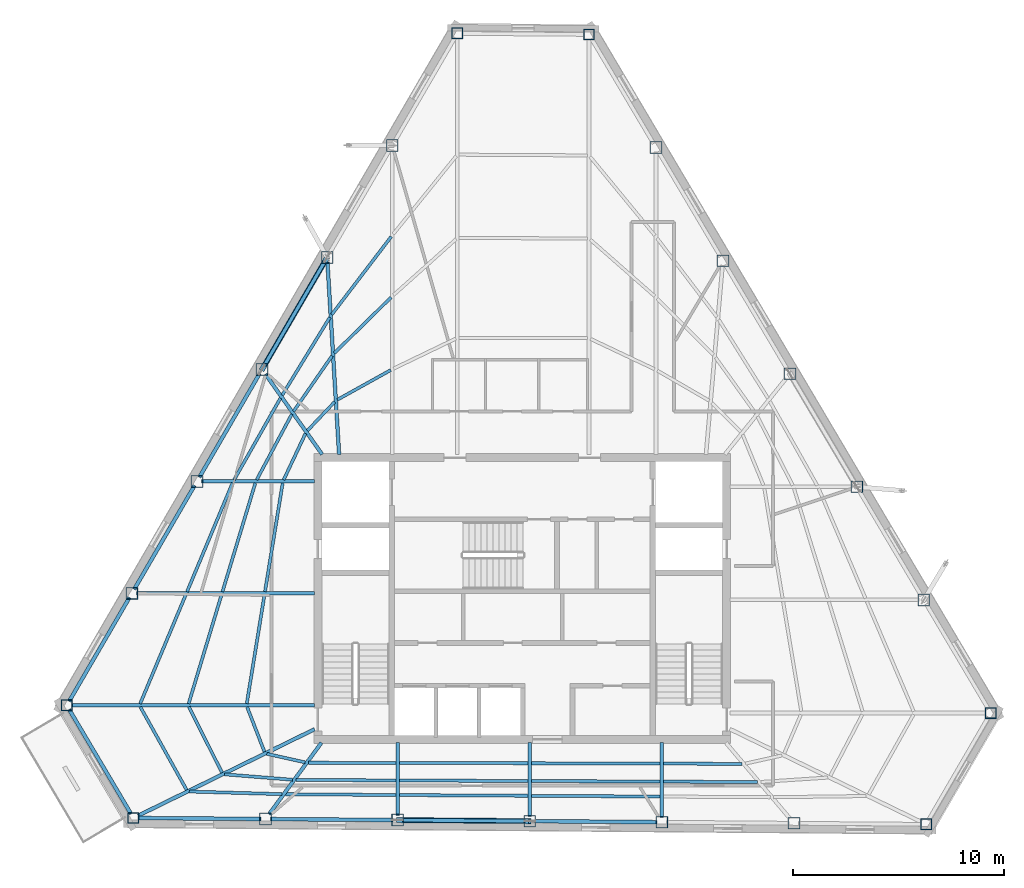
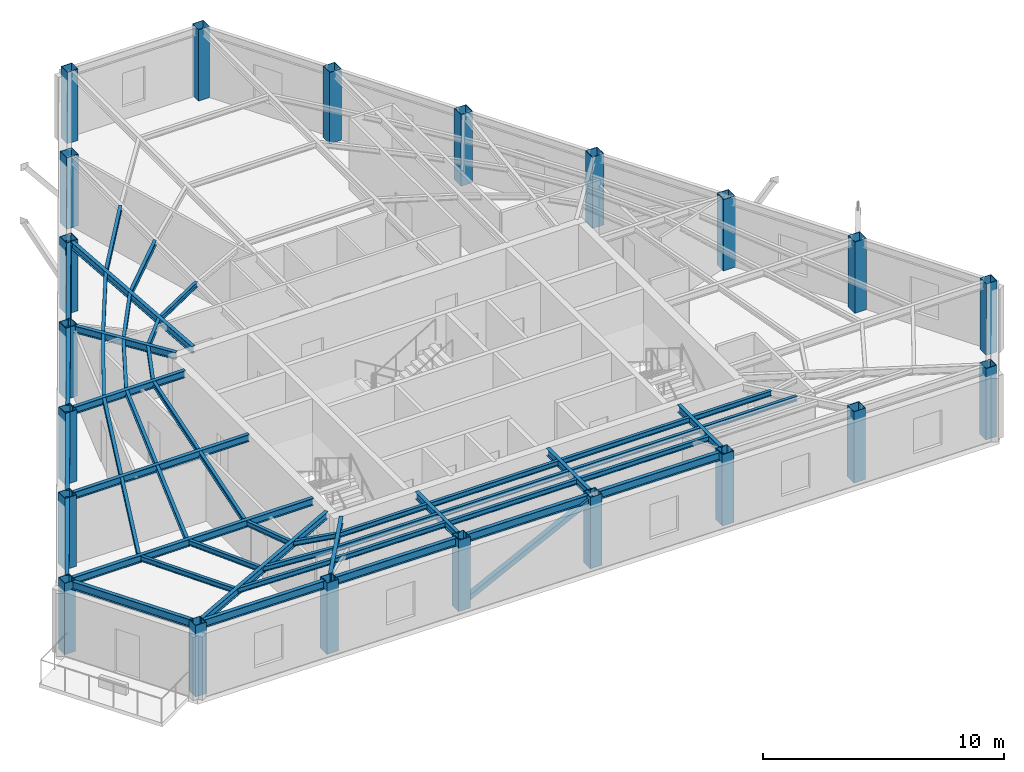
# One storey, part 1 of 10: 51 beams, 21 columns, 2 members.
"""IFC4 building model written with IfcOpenShell, lengths in metres."""

from ifc_helpers import new_model, si_unit, direction, frame, origin, origin_2d, place, context, subcontext, project, spatial, hollow_rectangle, i_section, extrude, material, material_profile, profile_set, type_object, element, save


model = new_model("IFC4")

# Units and contexts
model_context = context("Model", 3, precision=1e-05, world=origin(), true_north=direction((0.0, 1.0)))
body_context = subcontext(model_context, "Body", "Model", "MODEL_VIEW")
ifc_project = project(units=[si_unit("LENGTHUNIT", "METRE"), si_unit("AREAUNIT", "SQUARE_METRE"), si_unit("VOLUMEUNIT", "CUBIC_METRE"), si_unit("PLANEANGLEUNIT", "RADIAN"), si_unit("MASSUNIT", "GRAM", prefix="KILO")], contexts=[model_context])

# Site, building, storey
site_placement = place(None, origin())
site = spatial("IfcSite", under=ifc_project, at=site_placement, CompositionType="ELEMENT")
building_placement = place(site_placement, origin())
building = spatial("IfcBuilding", under=site, at=building_placement, Name="Kavelnor Concourse Tower", CompositionType="ELEMENT")
storey_placement = place(building_placement, frame((0.0, 0.0, 266.449951171875)))
storey = spatial("IfcBuildingStorey", under=building, at=storey_placement, Name="L67", CompositionType="ELEMENT", Elevation=266.449951171875)

# Columns
ifc_material = material(Name="Steel Grade 350", Category="steel")
ifc_material_profile_1 = material_profile(ifc_material, hollow_rectangle(XDim=0.52001953125, YDim=0.52001953125, WallThickness=0.02392578125, at=origin_2d()), Name="SHS 520x520x24")
ifc_profile_set_1 = profile_set([ifc_material_profile_1], Name="Steel Grade 350")
column_type_1 = type_object("IfcColumnType", Name="COL-FOLD-Z4", PredefinedType="COLUMN", material=ifc_profile_set_1)
for number, where, z_axis, x_axis, name in (
    (1, (34.920654296875, 42.937744140625, 0.0), (0.0, 0.0, 1.0), (1.0, 0.0, 0.0), "L67 Perimeter Corner-Fold Column F0-B0"),
    (2, (16.369384765625, 11.025634765625, 0.0), (0.0, 0.0, 1.0), (1.0, 0.0, 0.0), "L67 Perimeter Corner-Fold Column F0-B6"),
    (3, (19.535888671875, 5.677001953125, 0.0), (0.0, 0.0, 1.0), (1.0, 0.0, 0.0), "L67 Perimeter Corner-Fold Column F1-B0"),
    (4, (57.180908203125, 5.376220703125, 0.0), (0.0, 0.0, 1.0), (1.0, 0.0, 0.0), "L67 Perimeter Corner-Fold Column F1-B6"),
    (5, (60.25341796875, 10.66162109375, 0.0), (0.0, 0.0, 1.0), (1.0, 0.0, 0.0), "L67 Perimeter Corner-Fold Column F2-B0"),
    (6, (41.17333984375, 42.8876953125, 0.0), (0.0, 0.0, 1.0), (1.0, 0.0, 0.0), "L67 Perimeter Corner-Fold Column F2-B6"),
):
    element("IfcColumn", number, at=place(storey_placement, frame(where, z_axis=z_axis, x_axis=x_axis)), inside=storey, type_object=column_type_1, Name=name, PredefinedType="COLUMN", context=body_context, shape_type="SweptSolid", body=[
        extrude(hollow_rectangle(XDim=0.52001953125, YDim=0.52001953125, WallThickness=0.02392578125, at=origin_2d()), origin(), (0.0, 0.0, 1.0), 3.610107421875),
    ])
ifc_material_profile_2 = material_profile(ifc_material, hollow_rectangle(XDim=0.56005859375, YDim=0.56005859375, WallThickness=0.02490234375, at=origin_2d()), Name="SHS 560x560x25")
ifc_profile_set_2 = profile_set([ifc_material_profile_2], Name="Steel Grade 350")
column_type_2 = type_object("IfcColumnType", Name="COL-TUBE-Z4", PredefinedType="COLUMN", material=ifc_profile_set_2)
for number, where, z_axis, x_axis, name in (
    (7, (31.828857421875, 37.618896484375, 0.0), (0.0, 0.0, 1.0), (1.0, 0.0, 0.0), "L67 Perimeter Framed-Tube Column F0-B1"),
    (8, (28.73681640625, 32.30029296875, 0.0), (0.0, 0.0, 1.0), (1.0, 0.0, 0.0), "L67 Perimeter Framed-Tube Column F0-B2"),
    (9, (25.64501953125, 26.981689453125, 0.0), (0.0, 0.0, 1.0), (1.0, 0.0, 0.0), "L67 Perimeter Framed-Tube Column F0-B3"),
    (10, (22.552978515625, 21.6630859375, 0.0), (0.0, 0.0, 1.0), (1.0, 0.0, 0.0), "L67 Perimeter Framed-Tube Column F0-B4"),
    (11, (19.461181640625, 16.344482421875, 0.0), (0.0, 0.0, 1.0), (1.0, 0.0, 0.0), "L67 Perimeter Framed-Tube Column F0-B5"),
    (12, (25.810302734375, 5.626953125, 0.0), (0.0, 0.0, 1.0), (1.0, 0.0, 0.0), "L67 Perimeter Framed-Tube Column F1-B1"),
    (13, (32.084228515625, 5.576904296875, 0.0), (0.0, 0.0, 1.0), (1.0, 0.0, 0.0), "L67 Perimeter Framed-Tube Column F1-B2"),
    (14, (38.3583984375, 5.526611328125, 0.0), (0.0, 0.0, 1.0), (1.0, 0.0, 0.0), "L67 Perimeter Framed-Tube Column F1-B3"),
    (15, (44.632568359375, 5.4765625, 0.0), (0.0, 0.0, 1.0), (1.0, 0.0, 0.0), "L67 Perimeter Framed-Tube Column F1-B4"),
    (16, (50.90673828125, 5.426513671875, 0.0), (0.0, 0.0, 1.0), (1.0, 0.0, 0.0), "L67 Perimeter Framed-Tube Column F1-B5"),
    (17, (57.073486328125, 16.03271484375, 0.0), (0.0, 0.0, 1.0), (1.0, 0.0, 0.0), "L67 Perimeter Framed-Tube Column F2-B1"),
    (18, (53.8935546875, 21.40380859375, 0.0), (0.0, 0.0, 1.0), (1.0, 0.0, 0.0), "L67 Perimeter Framed-Tube Column F2-B2"),
    (19, (50.71337890625, 26.774658203125, 0.0), (0.0, 0.0, 1.0), (1.0, 0.0, 0.0), "L67 Perimeter Framed-Tube Column F2-B3"),
    (20, (47.533447265625, 32.145751953125, 0.0), (0.0, 0.0, 1.0), (1.0, 0.0, 0.0), "L67 Perimeter Framed-Tube Column F2-B4"),
    (21, (44.353515625, 37.5166015625, 0.0), (0.0, 0.0, 1.0), (1.0, 0.0, 0.0), "L67 Perimeter Framed-Tube Column F2-B5"),
):
    element("IfcColumn", number, at=place(storey_placement, frame(where, z_axis=z_axis, x_axis=x_axis)), inside=storey, type_object=column_type_2, Name=name, PredefinedType="COLUMN", context=body_context, shape_type="SweptSolid", body=[
        extrude(hollow_rectangle(XDim=0.56005859375, YDim=0.56005859375, WallThickness=0.02490234375, at=origin_2d()), origin(), (0.0, 0.0, 1.0), 3.610107421875),
    ])

# Beams
ifc_material_profile_3 = material_profile(ifc_material, i_section(OverallWidth=0.14599609375, OverallDepth=0.256103515625, WebThickness=0.00634765625, FlangeThickness=0.010986328125, at=origin_2d()), Name="250UB37")
ifc_profile_set_3 = profile_set([ifc_material_profile_3], Name="Steel Grade 350")
beam_type_1 = type_object("IfcBeamType", Name="BM-JOIST-250", PredefinedType="JOIST", material=ifc_profile_set_3)
beam_1_placement = place(storey_placement, frame((24.935302734375, 10.94921875, 3.48193359375), z_axis=(0.361275789771, -0.93245900914, 0.0), x_axis=(0.93245900914, 0.361275789771, 0.0)))
element("IfcBeam", 22, at=beam_1_placement, inside=storey, type_object=beam_type_1, Name="L67 Secondary Composite Joist 01-1", PredefinedType="JOIST", context=body_context, shape_type="SweptSolid", body=[
    extrude(i_section(OverallWidth=0.14599609375, OverallDepth=0.256103515625, WebThickness=0.00634765625, FlangeThickness=0.010986328125, at=origin_2d()), origin(), (0.0, 0.0, 1.0), 2.285400390625),
])
beam_2_placement = place(storey_placement, frame((22.17041015625, 10.952392578125, 3.48193359375), z_axis=(0.449948619078, -0.893054444135, 0.0), x_axis=(0.893054444135, 0.449948619078, 0.0)))
element("IfcBeam", 23, at=beam_2_placement, inside=storey, type_object=beam_type_1, Name="L67 Secondary Composite Joist 01-2", PredefinedType="JOIST", context=body_context, shape_type="SweptSolid", body=[
    extrude(i_section(OverallWidth=0.14599609375, OverallDepth=0.256103515625, WebThickness=0.00634765625, FlangeThickness=0.010986328125, at=origin_2d()), origin(), (0.0, 0.0, 1.0), 3.49658203125),
])
beam_3_placement = place(storey_placement, frame((19.86328125, 10.9541015625, 3.48193359375), z_axis=(0.487270366331, -0.873251160947, 0.0), x_axis=(0.873251160947, 0.487270366331, 0.0)))
element("IfcBeam", 24, at=beam_3_placement, inside=storey, type_object=beam_type_1, Name="L67 Secondary Composite Joist 01-3", PredefinedType="JOIST", context=body_context, shape_type="SweptSolid", body=[
    extrude(i_section(OverallWidth=0.14599609375, OverallDepth=0.256103515625, WebThickness=0.00634765625, FlangeThickness=0.010986328125, at=origin_2d()), origin(), (0.0, 0.0, 1.0), 4.519287109375),
])
beam_4_placement = place(storey_placement, frame((25.87060546875, 8.7236328125, 3.48193359375), z_axis=(0.976106817934, -0.217291233101, 0.0), x_axis=(0.217291233101, 0.976106817934, 0.0)))
element("IfcBeam", 25, at=beam_4_placement, inside=storey, type_object=beam_type_1, Name="L67 Secondary Composite Joist 02-1", PredefinedType="JOIST", context=body_context, shape_type="SweptSolid", body=[
    extrude(i_section(OverallWidth=0.14599609375, OverallDepth=0.256103515625, WebThickness=0.00634765625, FlangeThickness=0.010986328125, at=origin_2d()), origin(), (0.0, 0.0, 1.0), 1.86279296875),
])
beam_5_placement = place(storey_placement, frame((23.8623046875, 7.75, 3.48193359375), z_axis=(0.996825339522, -0.079619359998, 0.0), x_axis=(0.079619359998, 0.996825339522, 0.0)))
element("IfcBeam", 26, at=beam_5_placement, inside=storey, type_object=beam_type_1, Name="L67 Secondary Composite Joist 02-2", PredefinedType="JOIST", context=body_context, shape_type="SweptSolid", body=[
    extrude(i_section(OverallWidth=0.14599609375, OverallDepth=0.256103515625, WebThickness=0.00634765625, FlangeThickness=0.010986328125, at=origin_2d()), origin(), (0.0, 0.0, 1.0), 3.238037109375),
])
beam_6_placement = place(storey_placement, frame((22.187255859375, 6.93359375, 3.48193359375), z_axis=(0.999596008583, -0.028422167853, 0.0), x_axis=(0.028422167853, 0.999596008583, 0.0)))
element("IfcBeam", 27, at=beam_6_placement, inside=storey, type_object=beam_type_1, Name="L67 Secondary Composite Joist 02-3", PredefinedType="JOIST", context=body_context, shape_type="SweptSolid", body=[
    extrude(i_section(OverallWidth=0.14599609375, OverallDepth=0.256103515625, WebThickness=0.00634765625, FlangeThickness=0.010986328125, at=origin_2d()), origin(), (0.0, 0.0, 1.0), 4.406494140625),
])
beam_7_placement = place(storey_placement, frame((27.85107421875, 8.30078125, 3.48193359375), z_axis=(0.999996949188, -0.00247014479, 0.0), x_axis=(0.00247014479, 0.999996949188, 0.0)))
element("IfcBeam", 28, at=beam_7_placement, inside=storey, type_object=beam_type_1, Name="L67 Secondary Composite Joist 03-1", PredefinedType="JOIST", context=body_context, shape_type="SweptSolid", body=[
    extrude(i_section(OverallWidth=0.14599609375, OverallDepth=0.256103515625, WebThickness=0.00634765625, FlangeThickness=0.010986328125, at=origin_2d()), origin(), (0.0, 0.0, 1.0), 4.151123046875),
])
beam_8_placement = place(storey_placement, frame((27.253662109375, 7.485107421875, 3.48193359375), z_axis=(0.999985704868, -0.005346967265, 0.0), x_axis=(0.005346967265, 0.999985704868, 0.0)))
element("IfcBeam", 29, at=beam_8_placement, inside=storey, type_object=beam_type_1, Name="L67 Secondary Composite Joist 03-2", PredefinedType="JOIST", context=body_context, shape_type="SweptSolid", body=[
    extrude(i_section(OverallWidth=0.14599609375, OverallDepth=0.256103515625, WebThickness=0.00634765625, FlangeThickness=0.010986328125, at=origin_2d()), origin(), (0.0, 0.0, 1.0), 4.74853515625),
])
beam_9_placement = place(storey_placement, frame((26.755859375, 6.805419921875, 3.48193359375), z_axis=(0.999973311786, -0.007305868582, 0.0), x_axis=(0.007305868582, 0.999973311786, 0.0)))
element("IfcBeam", 30, at=beam_9_placement, inside=storey, type_object=beam_type_1, Name="L67 Secondary Composite Joist 03-3", PredefinedType="JOIST", context=body_context, shape_type="SweptSolid", body=[
    extrude(i_section(OverallWidth=0.14599609375, OverallDepth=0.256103515625, WebThickness=0.00634765625, FlangeThickness=0.010986328125, at=origin_2d()), origin(), (0.0, 0.0, 1.0), 5.24658203125),
])
for number, where, z_axis, x_axis, name in (
    (31, (32.166259765625, 8.2900390625, 3.48193359375), (0.99999758542, -0.00219753345, 0.0), (0.00219753345, 0.99999758542, 0.0), "L67 Secondary Composite Joist 04-1"),
    (32, (32.166259765625, 7.458740234375, 3.48193359375), (0.999991366662, -0.004155310138, 0.0), (0.004155310138, 0.999991366662, 0.0), "L67 Secondary Composite Joist 04-2"),
    (33, (32.166259765625, 6.76611328125, 3.48193359375), (0.999983448708, -0.005753460788, 0.0), (0.005753460788, 0.999983448708, 0.0), "L67 Secondary Composite Joist 04-3"),
):
    element("IfcBeam", number, at=place(storey_placement, frame(where, z_axis=z_axis, x_axis=x_axis)), inside=storey, type_object=beam_type_1, Name=name, PredefinedType="JOIST", context=body_context, shape_type="SweptSolid", body=[
        extrude(i_section(OverallWidth=0.14599609375, OverallDepth=0.256103515625, WebThickness=0.00634765625, FlangeThickness=0.010986328125, at=origin_2d()), origin(), (0.0, 0.0, 1.0), 6.1103515625),
    ])
for number, where, z_axis, x_axis, name in (
    (34, (38.4404296875, 8.276123046875, 3.48193359375), (0.99999749662, -0.002237577808, 0.0), (0.002237577808, 0.99999749662, 0.0), "L67 Secondary Composite Joist 05-1"),
    (35, (38.4404296875, 7.4326171875, 3.48193359375), (0.99999153121, -0.004115520347, 0.0), (0.004115520347, 0.99999153121, 0.0), "L67 Secondary Composite Joist 05-2"),
    (36, (38.4404296875, 6.72998046875, 3.48193359375), (0.999983447385, -0.005753690671, 0.0), (0.005753690671, 0.999983447385, 0.0), "L67 Secondary Composite Joist 05-3"),
):
    element("IfcBeam", number, at=place(storey_placement, frame(where, z_axis=z_axis, x_axis=x_axis)), inside=storey, type_object=beam_type_1, Name=name, PredefinedType="JOIST", context=body_context, shape_type="SweptSolid", body=[
        extrude(i_section(OverallWidth=0.14599609375, OverallDepth=0.256103515625, WebThickness=0.00634765625, FlangeThickness=0.010986328125, at=origin_2d()), origin(), (0.0, 0.0, 1.0), 6.110107421875),
    ])
beam_10_placement = place(storey_placement, frame((44.714599609375, 8.261962890625, 3.48193359375), z_axis=(0.999988892701, -0.004713223375, 0.0), x_axis=(0.004713223375, 0.999988892701, 0.0)))
element("IfcBeam", 37, at=beam_10_placement, inside=storey, type_object=beam_type_1, Name="L67 Secondary Composite Joist 06-1", PredefinedType="JOIST", context=body_context, shape_type="SweptSolid", body=[
    extrude(i_section(OverallWidth=0.14599609375, OverallDepth=0.256103515625, WebThickness=0.00634765625, FlangeThickness=0.010986328125, at=origin_2d()), origin(), (0.0, 0.0, 1.0), 3.7294921875),
])
beam_11_placement = place(storey_placement, frame((44.714599609375, 7.406494140625, 3.48193359375), z_axis=(0.999984706527, -0.005530525428, 0.0), x_axis=(0.005530525428, 0.999984706527, 0.0)))
element("IfcBeam", 38, at=beam_11_placement, inside=storey, type_object=beam_type_1, Name="L67 Secondary Composite Joist 06-2", PredefinedType="JOIST", context=body_context, shape_type="SweptSolid", body=[
    extrude(i_section(OverallWidth=0.14599609375, OverallDepth=0.256103515625, WebThickness=0.00634765625, FlangeThickness=0.010986328125, at=origin_2d()), origin(), (0.0, 0.0, 1.0), 4.45849609375),
])
beam_12_placement = place(storey_placement, frame((31.757080078125, 26.94873046875, 3.48193359375), z_axis=(-0.874069936129, -0.485800109875, 0.0), x_axis=(0.485800109875, -0.874069936129, 0.0)))
element("IfcBeam", 39, at=beam_12_placement, inside=storey, type_object=beam_type_1, Name="L67 Secondary Composite Joist 17-1", PredefinedType="JOIST", context=body_context, shape_type="SweptSolid", body=[
    extrude(i_section(OverallWidth=0.14599609375, OverallDepth=0.256103515625, WebThickness=0.00634765625, FlangeThickness=0.010986328125, at=origin_2d()), origin(), (0.0, 0.0, 1.0), 2.901123046875),
])
beam_13_placement = place(storey_placement, frame((31.770263671875, 30.401123046875, 3.48193359375), z_axis=(-0.712991392338, -0.701172785019, 0.0), x_axis=(0.701172785019, -0.712991392338, 0.0)))
element("IfcBeam", 40, at=beam_13_placement, inside=storey, type_object=beam_type_1, Name="L67 Secondary Composite Joist 17-2", PredefinedType="JOIST", context=body_context, shape_type="SweptSolid", body=[
    extrude(i_section(OverallWidth=0.14599609375, OverallDepth=0.256103515625, WebThickness=0.00634765625, FlangeThickness=0.010986328125, at=origin_2d()), origin(), (0.0, 0.0, 1.0), 3.7802734375),
])
beam_14_placement = place(storey_placement, frame((31.779052734375, 33.285400390625, 3.48193359375), z_axis=(-0.606760558889, -0.794884660927, 0.0), x_axis=(0.794884660927, -0.606760558889, 0.0)))
element("IfcBeam", 41, at=beam_14_placement, inside=storey, type_object=beam_type_1, Name="L67 Secondary Composite Joist 17-3", PredefinedType="JOIST", context=body_context, shape_type="SweptSolid", body=[
    extrude(i_section(OverallWidth=0.14599609375, OverallDepth=0.256103515625, WebThickness=0.00634765625, FlangeThickness=0.010986328125, at=origin_2d()), origin(), (0.0, 0.0, 1.0), 4.65380859375),
])
beam_15_placement = place(storey_placement, frame((29.09326171875, 25.439697265625, 3.48193359375), z_axis=(-0.687172086784, -0.726494682118, 0.0), x_axis=(0.726494682118, -0.687172086784, 0.0)))
element("IfcBeam", 42, at=beam_15_placement, inside=storey, type_object=beam_type_1, Name="L67 Secondary Composite Joist 18-1", PredefinedType="JOIST", context=body_context, shape_type="SweptSolid", body=[
    extrude(i_section(OverallWidth=0.14599609375, OverallDepth=0.256103515625, WebThickness=0.00634765625, FlangeThickness=0.010986328125, at=origin_2d()), origin(), (0.0, 0.0, 1.0), 1.881103515625),
])
beam_16_placement = place(storey_placement, frame((28.9697265625, 27.62548828125, 3.48193359375), z_axis=(-0.569931342255, -0.82169231779, 0.0), x_axis=(0.82169231779, -0.569931342255, 0.0)))
element("IfcBeam", 43, at=beam_16_placement, inside=storey, type_object=beam_type_1, Name="L67 Secondary Composite Joist 18-2", PredefinedType="JOIST", context=body_context, shape_type="SweptSolid", body=[
    extrude(i_section(OverallWidth=0.14599609375, OverallDepth=0.256103515625, WebThickness=0.00634765625, FlangeThickness=0.010986328125, at=origin_2d()), origin(), (0.0, 0.0, 1.0), 3.2021484375),
])
beam_17_placement = place(storey_placement, frame((28.86279296875, 29.451171875, 3.48193359375), z_axis=(-0.522079365068, -0.852896908524, 0.0), x_axis=(0.852896908524, -0.522079365068, 0.0)))
element("IfcBeam", 44, at=beam_17_placement, inside=storey, type_object=beam_type_1, Name="L67 Secondary Composite Joist 18-3", PredefinedType="JOIST", context=body_context, shape_type="SweptSolid", body=[
    extrude(i_section(OverallWidth=0.14599609375, OverallDepth=0.256103515625, WebThickness=0.00634765625, FlangeThickness=0.010986328125, at=origin_2d()), origin(), (0.0, 0.0, 1.0), 4.329833984375),
])
beam_18_placement = place(storey_placement, frame((27.709228515625, 23.939208984375, 3.48193359375), z_axis=(-0.426106174472, -0.904673160913, 0.0), x_axis=(0.904673160913, -0.426106174472, 0.0)))
element("IfcBeam", 45, at=beam_18_placement, inside=storey, type_object=beam_type_1, Name="L67 Secondary Composite Joist 19-1", PredefinedType="JOIST", context=body_context, shape_type="SweptSolid", body=[
    extrude(i_section(OverallWidth=0.14599609375, OverallDepth=0.256103515625, WebThickness=0.00634765625, FlangeThickness=0.010986328125, at=origin_2d()), origin(), (0.0, 0.0, 1.0), 2.433837890625),
])
beam_19_placement = place(storey_placement, frame((27.059326171875, 24.854736328125, 3.48193359375), z_axis=(-0.472284586656, -0.881446123825, 0.0), x_axis=(0.881446123825, -0.472284586656, 0.0)))
element("IfcBeam", 46, at=beam_19_placement, inside=storey, type_object=beam_type_1, Name="L67 Secondary Composite Joist 19-2", PredefinedType="JOIST", context=body_context, shape_type="SweptSolid", body=[
    extrude(i_section(OverallWidth=0.14599609375, OverallDepth=0.256103515625, WebThickness=0.00634765625, FlangeThickness=0.010986328125, at=origin_2d()), origin(), (0.0, 0.0, 1.0), 3.538818359375),
])
beam_20_placement = place(storey_placement, frame((26.51904296875, 25.6171875, 3.48193359375), z_axis=(-0.493415451493, -0.869793764192, 0.0), x_axis=(0.869793764192, -0.493415451493, 0.0)))
element("IfcBeam", 47, at=beam_20_placement, inside=storey, type_object=beam_type_1, Name="L67 Secondary Composite Joist 19-3", PredefinedType="JOIST", context=body_context, shape_type="SweptSolid", body=[
    extrude(i_section(OverallWidth=0.14599609375, OverallDepth=0.256103515625, WebThickness=0.00634765625, FlangeThickness=0.010986328125, at=origin_2d()), origin(), (0.0, 0.0, 1.0), 4.464111328125),
])
beam_21_placement = place(storey_placement, frame((26.6240234375, 21.58203125, 3.48193359375), z_axis=(-0.160654428719, -0.987010716524, 0.0), x_axis=(0.987010716524, -0.160654428719, 0.0)))
element("IfcBeam", 48, at=beam_21_placement, inside=storey, type_object=beam_type_1, Name="L67 Secondary Composite Joist 20-1", PredefinedType="JOIST", context=body_context, shape_type="SweptSolid", body=[
    extrude(i_section(OverallWidth=0.14599609375, OverallDepth=0.256103515625, WebThickness=0.00634765625, FlangeThickness=0.010986328125, at=origin_2d()), origin(), (0.0, 0.0, 1.0), 5.224609375),
])
beam_22_placement = place(storey_placement, frame((25.325439453125, 21.58447265625, 3.48193359375), z_axis=(-0.289357664463, -0.957221051804, 0.0), x_axis=(0.957221051804, -0.289357664463, 0.0)))
element("IfcBeam", 49, at=beam_22_placement, inside=storey, type_object=beam_type_1, Name="L67 Secondary Composite Joist 20-2", PredefinedType="JOIST", context=body_context, shape_type="SweptSolid", body=[
    extrude(i_section(OverallWidth=0.14599609375, OverallDepth=0.256103515625, WebThickness=0.00634765625, FlangeThickness=0.010986328125, at=origin_2d()), origin(), (0.0, 0.0, 1.0), 5.392333984375),
])
beam_23_placement = place(storey_placement, frame((24.244140625, 21.58740234375, 3.48193359375), z_axis=(-0.386094104431, -0.922459398848, 0.0), x_axis=(0.922459398848, -0.386094104431, 0.0)))
element("IfcBeam", 50, at=beam_23_placement, inside=storey, type_object=beam_type_1, Name="L67 Secondary Composite Joist 20-3", PredefinedType="JOIST", context=body_context, shape_type="SweptSolid", body=[
    extrude(i_section(OverallWidth=0.14599609375, OverallDepth=0.256103515625, WebThickness=0.00634765625, FlangeThickness=0.010986328125, at=origin_2d()), origin(), (0.0, 0.0, 1.0), 5.601806640625),
])
beam_24_placement = place(storey_placement, frame((25.75830078125, 16.263427734375, 3.48193359375), z_axis=(-0.160654428719, -0.987010716524, 0.0), x_axis=(0.987010716524, -0.160654428719, 0.0)))
element("IfcBeam", 51, at=beam_24_placement, inside=storey, type_object=beam_type_1, Name="L67 Secondary Composite Joist 21-1", PredefinedType="JOIST", context=body_context, shape_type="SweptSolid", body=[
    extrude(i_section(OverallWidth=0.14599609375, OverallDepth=0.256103515625, WebThickness=0.00634765625, FlangeThickness=0.010986328125, at=origin_2d()), origin(), (0.0, 0.0, 1.0), 5.224609375),
])
beam_25_placement = place(storey_placement, frame((23.7177734375, 16.265869140625, 3.48193359375), z_axis=(-0.289357664463, -0.957221051804, 0.0), x_axis=(0.957221051804, -0.289357664463, 0.0)))
element("IfcBeam", 52, at=beam_25_placement, inside=storey, type_object=beam_type_1, Name="L67 Secondary Composite Joist 21-2", PredefinedType="JOIST", context=body_context, shape_type="SweptSolid", body=[
    extrude(i_section(OverallWidth=0.14599609375, OverallDepth=0.256103515625, WebThickness=0.00634765625, FlangeThickness=0.010986328125, at=origin_2d()), origin(), (0.0, 0.0, 1.0), 5.392333984375),
])
beam_26_placement = place(storey_placement, frame((22.01806640625, 16.268798828125, 3.48193359375), z_axis=(-0.386094104431, -0.922459398848, 0.0), x_axis=(0.922459398848, -0.386094104431, 0.0)))
element("IfcBeam", 53, at=beam_26_placement, inside=storey, type_object=beam_type_1, Name="L67 Secondary Composite Joist 21-3", PredefinedType="JOIST", context=body_context, shape_type="SweptSolid", body=[
    extrude(i_section(OverallWidth=0.14599609375, OverallDepth=0.256103515625, WebThickness=0.00634765625, FlangeThickness=0.010986328125, at=origin_2d()), origin(), (0.0, 0.0, 1.0), 5.601806640625),
])
ifc_material_profile_4 = material_profile(ifc_material, i_section(OverallWidth=0.172119140625, OverallDepth=0.35888671875, WebThickness=0.008056640625, FlangeThickness=0.012939453125, at=origin_2d()), Name="360UB56")
ifc_profile_set_4 = profile_set([ifc_material_profile_4], Name="Steel Grade 350")
beam_type_2 = type_object("IfcBeamType", Name="BM-PRIMARY-360", PredefinedType="BEAM", material=ifc_profile_set_4)
beam_27_placement = place(storey_placement, frame((29.3046875, 22.940185546875, 3.4306640625), z_axis=(-0.060548993785, 0.998165226479, 0.0), x_axis=(-0.998165226479, -0.060548993785, 0.0)))
element("IfcBeam", 54, at=beam_27_placement, inside=storey, type_object=beam_type_2, Name="L67 Primary Floor Girder F0-B2", PredefinedType="BEAM", context=body_context, shape_type="SweptSolid", body=[
    extrude(i_section(OverallWidth=0.172119140625, OverallDepth=0.35888671875, WebThickness=0.008056640625, FlangeThickness=0.012939453125, at=origin_2d()), origin(), (0.0, 0.0, 1.0), 9.156982421875),
])
beam_28_placement = place(storey_placement, frame((28.497802734375, 22.947265625, 3.4306640625), z_axis=(-0.577328516772, 0.816511961775, 0.0), x_axis=(-0.816511961775, -0.577328516772, 0.0)))
element("IfcBeam", 55, at=beam_28_placement, inside=storey, type_object=beam_type_2, Name="L67 Primary Floor Girder F0-B3", PredefinedType="BEAM", context=body_context, shape_type="SweptSolid", body=[
    extrude(i_section(OverallWidth=0.172119140625, OverallDepth=0.35888671875, WebThickness=0.008056640625, FlangeThickness=0.012939453125, at=origin_2d()), origin(), (0.0, 0.0, 1.0), 4.66259765625),
])
beam_29_placement = place(storey_placement, frame((28.139892578125, 21.6630859375, 3.4306640625), z_axis=(-1.0, 0.0, 0.0), x_axis=(0.0, -1.0, 0.0)))
element("IfcBeam", 56, at=beam_29_placement, inside=storey, type_object=beam_type_2, Name="L67 Primary Floor Girder F0-B4", PredefinedType="BEAM", context=body_context, shape_type="SweptSolid", body=[
    extrude(i_section(OverallWidth=0.172119140625, OverallDepth=0.35888671875, WebThickness=0.008056640625, FlangeThickness=0.012939453125, at=origin_2d()), origin(), (0.0, 0.0, 1.0), 5.36669921875),
])
beam_30_placement = place(storey_placement, frame((28.139892578125, 16.344482421875, 3.4306640625), z_axis=(-1.0, 0.0, 0.0), x_axis=(0.0, -1.0, 0.0)))
element("IfcBeam", 57, at=beam_30_placement, inside=storey, type_object=beam_type_2, Name="L67 Primary Floor Girder F0-B5", PredefinedType="BEAM", context=body_context, shape_type="SweptSolid", body=[
    extrude(i_section(OverallWidth=0.172119140625, OverallDepth=0.35888671875, WebThickness=0.008056640625, FlangeThickness=0.012939453125, at=origin_2d()), origin(), (0.0, 0.0, 1.0), 8.458740234375),
])
beam_31_placement = place(storey_placement, frame((28.139892578125, 11.025634765625, 3.4306640625), z_axis=(-1.0, 0.0, 0.0), x_axis=(0.0, -1.0, 0.0)))
element("IfcBeam", 58, at=beam_31_placement, inside=storey, type_object=beam_type_2, Name="L67 Primary Floor Girder F0-B6", PredefinedType="BEAM", context=body_context, shape_type="SweptSolid", body=[
    extrude(i_section(OverallWidth=0.172119140625, OverallDepth=0.35888671875, WebThickness=0.008056640625, FlangeThickness=0.012939453125, at=origin_2d()), origin(), (0.0, 0.0, 1.0), 11.550537109375),
])
beam_32_placement = place(storey_placement, frame((28.135986328125, 9.890380859375, 3.4306640625), z_axis=(-0.898020499889, -0.439953613214, 0.0), x_axis=(0.439953613214, -0.898020499889, 0.0)))
element("IfcBeam", 59, at=beam_32_placement, inside=storey, type_object=beam_type_2, Name="L67 Primary Floor Girder F1-B0", PredefinedType="BEAM", context=body_context, shape_type="SweptSolid", body=[
    extrude(i_section(OverallWidth=0.172119140625, OverallDepth=0.35888671875, WebThickness=0.008056640625, FlangeThickness=0.012939453125, at=origin_2d()), origin(), (0.0, 0.0, 1.0), 9.3271484375),
])
beam_33_placement = place(storey_placement, frame((28.466064453125, 9.252197265625, 3.4306640625), z_axis=(-0.590984125316, -0.80668318665, 0.0), x_axis=(0.80668318665, -0.590984125316, 0.0)))
element("IfcBeam", 60, at=beam_33_placement, inside=storey, type_object=beam_type_2, Name="L67 Primary Floor Girder F1-B1", PredefinedType="BEAM", context=body_context, shape_type="SweptSolid", body=[
    extrude(i_section(OverallWidth=0.172119140625, OverallDepth=0.35888671875, WebThickness=0.008056640625, FlangeThickness=0.012939453125, at=origin_2d()), origin(), (0.0, 0.0, 1.0), 4.211669921875),
])
beam_34_placement = place(storey_placement, frame((32.084228515625, 9.260009765625, 3.4306640625), z_axis=(0.0, -1.0, 0.0), x_axis=(1.0, 0.0, 0.0)))
element("IfcBeam", 61, at=beam_34_placement, inside=storey, type_object=beam_type_2, Name="L67 Primary Floor Girder F1-B2", PredefinedType="BEAM", context=body_context, shape_type="SweptSolid", body=[
    extrude(i_section(OverallWidth=0.172119140625, OverallDepth=0.35888671875, WebThickness=0.008056640625, FlangeThickness=0.012939453125, at=origin_2d()), origin(), (0.0, 0.0, 1.0), 3.463134765625),
])
beam_35_placement = place(storey_placement, frame((38.3583984375, 9.260009765625, 3.4306640625), z_axis=(0.0, -1.0, 0.0), x_axis=(1.0, 0.0, 0.0)))
element("IfcBeam", 62, at=beam_35_placement, inside=storey, type_object=beam_type_2, Name="L67 Primary Floor Girder F1-B3", PredefinedType="BEAM", context=body_context, shape_type="SweptSolid", body=[
    extrude(i_section(OverallWidth=0.172119140625, OverallDepth=0.35888671875, WebThickness=0.008056640625, FlangeThickness=0.012939453125, at=origin_2d()), origin(), (0.0, 0.0, 1.0), 3.513427734375),
])
beam_36_placement = place(storey_placement, frame((44.632568359375, 9.260009765625, 3.4306640625), z_axis=(0.0, -1.0, 0.0), x_axis=(1.0, 0.0, 0.0)))
element("IfcBeam", 63, at=beam_36_placement, inside=storey, type_object=beam_type_2, Name="L67 Primary Floor Girder F1-B4", PredefinedType="BEAM", context=body_context, shape_type="SweptSolid", body=[
    extrude(i_section(OverallWidth=0.172119140625, OverallDepth=0.35888671875, WebThickness=0.008056640625, FlangeThickness=0.012939453125, at=origin_2d()), origin(), (0.0, 0.0, 1.0), 3.5634765625),
])
ifc_material_profile_5 = material_profile(ifc_material, i_section(OverallWidth=0.177978515625, OverallDepth=0.406005859375, WebThickness=0.0078125, FlangeThickness=0.0126953125, at=origin_2d()), Name="410UB59")
ifc_profile_set_5 = profile_set([ifc_material_profile_5], Name="Steel Grade 350")
beam_type_3 = type_object("IfcBeamType", Name="BM-SPANDREL-Z4", PredefinedType="SPANDREL", material=ifc_profile_set_5)
for number, where, z_axis, x_axis, name in (
    (64, (28.623779296875, 32.10595703125, 3.406982421875), (-0.502571341319, -0.864535740664, 0.0), (0.864535740664, -0.502571341319, 0.0), "L67 Perimeter Tube Spandrel Beam F0-B2"),
    (65, (25.531982421875, 26.787109375, 3.406982421875), (-0.502571341319, -0.864535740664, 0.0), (0.864535740664, -0.502571341319, 0.0), "L67 Perimeter Tube Spandrel Beam F0-B3"),
    (66, (22.43994140625, 21.468505859375, 3.406982421875), (-0.502571341319, -0.864535740664, 0.0), (0.864535740664, -0.502571341319, 0.0), "L67 Perimeter Tube Spandrel Beam F0-B4"),
    (67, (19.34814453125, 16.14990234375, 3.406982421875), (-0.502571341319, -0.864535740664, 0.0), (0.864535740664, -0.502571341319, 0.0), "L67 Perimeter Tube Spandrel Beam F0-B5"),
):
    element("IfcBeam", number, at=place(storey_placement, frame(where, z_axis=z_axis, x_axis=x_axis)), inside=storey, type_object=beam_type_3, Name=name, PredefinedType="SPANDREL", context=body_context, shape_type="SweptSolid", body=[
        extrude(i_section(OverallWidth=0.177978515625, OverallDepth=0.406005859375, WebThickness=0.0078125, FlangeThickness=0.0126953125, at=origin_2d()), origin(), (0.0, 0.0, 1.0), 5.7021484375),
    ])
for number, where, z_axis, x_axis, name in (
    (68, (19.760986328125, 5.67529296875, 3.406982421875), (0.99996828525, -0.007964200796, 0.0), (0.007964200796, 0.99996828525, 0.0), "L67 Perimeter Tube Spandrel Beam F1-B0"),
    (69, (26.03515625, 5.625244140625, 3.406982421875), (0.999967950548, -0.008006114963, 0.0), (0.008006114963, 0.999967950548, 0.0), "L67 Perimeter Tube Spandrel Beam F1-B1"),
    (70, (32.309326171875, 5.574951171875, 3.406982421875), (0.99996828525, -0.007964200796, 0.0), (0.007964200796, 0.99996828525, 0.0), "L67 Perimeter Tube Spandrel Beam F1-B2"),
    (71, (38.58349609375, 5.52490234375, 3.406982421875), (0.99996828525, -0.007964200796, 0.0), (0.007964200796, 0.99996828525, 0.0), "L67 Perimeter Tube Spandrel Beam F1-B3"),
):
    element("IfcBeam", number, at=place(storey_placement, frame(where, z_axis=z_axis, x_axis=x_axis)), inside=storey, type_object=beam_type_3, Name=name, PredefinedType="SPANDREL", context=body_context, shape_type="SweptSolid", body=[
        extrude(i_section(OverallWidth=0.177978515625, OverallDepth=0.406005859375, WebThickness=0.0078125, FlangeThickness=0.0126953125, at=origin_2d()), origin(), (0.0, 0.0, 1.0), 5.824462890625),
    ])
beam_37_placement = place(storey_placement, frame((16.48388671875, 10.83203125, 3.406982421875), z_axis=(0.509468080451, -0.860489555429, 0.0), x_axis=(0.860489555429, 0.509468080451, 0.0)))
element("IfcBeam", 72, at=beam_37_placement, inside=storey, type_object=beam_type_3, Name="L67 Chamfer Facet Spandrel Beam C1", PredefinedType="SPANDREL", context=body_context, shape_type="SweptSolid", body=[
    extrude(i_section(OverallWidth=0.177978515625, OverallDepth=0.406005859375, WebThickness=0.0078125, FlangeThickness=0.0126953125, at=origin_2d()), origin(), (0.0, 0.0, 1.0), 5.765869140625),
])

# Members
ifc_material_profile_6 = material_profile(ifc_material, hollow_rectangle(XDim=0.25, YDim=0.25, WallThickness=0.01611328125, at=origin_2d()), Name="SHS 250x250x16")
ifc_profile_set_6 = profile_set([ifc_material_profile_6], Name="Steel Grade 350")
member_type = type_object("IfcMemberType", Name="MBR-TUBE-DIAG-Z4", PredefinedType="BRACE", material=ifc_profile_set_6)
member_1_placement = place(storey_placement, frame((25.64501953125, 26.981689453125, 0.219970703125), z_axis=(0.446244799397, 0.767643947795, 0.45998733507), x_axis=(-0.86453645968, 0.502570104447, 0.0)))
element("IfcMember", 73, at=member_1_placement, inside=storey, type_object=member_type, Name="L67 Framed-Tube Bracing Diagonal F0-B2", PredefinedType="BRACE", context=body_context, shape_type="SweptSolid", body=[
    extrude(hollow_rectangle(XDim=0.25, YDim=0.25, WallThickness=0.01611328125, at=origin_2d()), origin(), (0.0, 0.0, 1.0), 6.928466796875),
])
member_2_placement = place(storey_placement, frame((32.084228515625, 5.576904296875, 0.219970703125), z_axis=(0.891548540289, -0.00714654264, 0.452868774853), x_axis=(0.008015618589, 0.999967874413, 0.0)))
element("IfcMember", 74, at=member_2_placement, inside=storey, type_object=member_type, Name="L67 Framed-Tube Bracing Diagonal F1-B2", PredefinedType="BRACE", context=body_context, shape_type="SweptSolid", body=[
    extrude(hollow_rectangle(XDim=0.25, YDim=0.25, WallThickness=0.01611328125, at=origin_2d()), origin(), (0.0, 0.0, 1.0), 7.037353515625),
])

save(model, "model.ifc")
